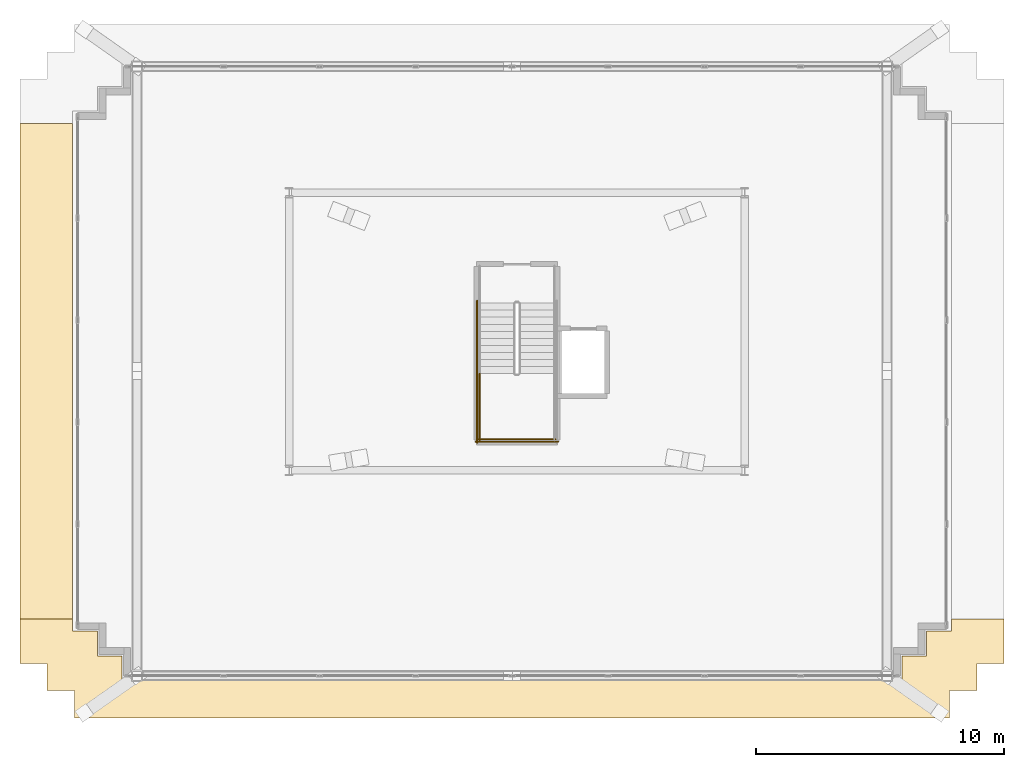
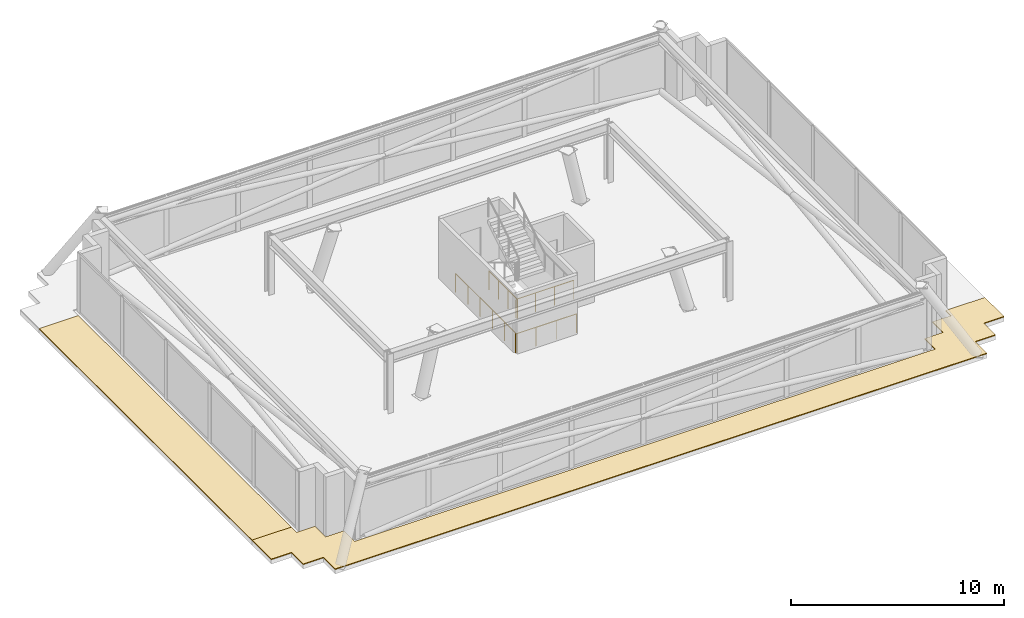
# One storey, part 16 of 18: 4 railings, 2 coverings.
"""IFC4 building model written with IfcOpenShell, lengths in metres."""

from ifc_helpers import new_model, si_unit, direction, frame, origin, origin_2d, place, context, subcontext, project, spatial, polyline, circle, outline, extrude, material, layer, layer_set, type_object, element, save


model = new_model("IFC4")

# Units and contexts
model_context = context("Model", 3, precision=1e-05, world=origin(), true_north=direction((0.0, 1.0)))
body_context = subcontext(model_context, "Body", "Model", "MODEL_VIEW")
ifc_project = project(units=[si_unit("LENGTHUNIT", "METRE"), si_unit("AREAUNIT", "SQUARE_METRE"), si_unit("VOLUMEUNIT", "CUBIC_METRE"), si_unit("PLANEANGLEUNIT", "RADIAN"), si_unit("MASSUNIT", "GRAM", prefix="KILO")], contexts=[model_context])

# Site, building, storey
site_placement = place(None, origin())
site = spatial("IfcSite", under=ifc_project, at=site_placement, CompositionType="ELEMENT")
building_placement = place(site_placement, origin())
building = spatial("IfcBuilding", under=site, at=building_placement, Name="Qobustan Lattice House", CompositionType="ELEMENT")
storey_placement = place(building_placement, frame((0.0, 0.0, 277.800048828125)))
storey = spatial("IfcBuildingStorey", under=building, at=storey_placement, Name="L78", CompositionType="ELEMENT", Elevation=277.800048828125)

# Coverings
ifc_material_1 = material(Name="Insulated stone-ballasted roof membrane", Category="masonry")
ifc_layer = layer(ifc_material_1, 0.050048828125)
ifc_layer_set = layer_set([ifc_layer], Name="Insulated stone-ballasted roof membrane")
covering_type = type_object("IfcCoveringType", Name="COV-ROOF-MEMB", PredefinedType="ROOFING", material=ifc_layer_set)
covering_1_placement = place(storey_placement, origin())
element("IfcCovering", 1, at=covering_1_placement, inside=storey, type_object=covering_type, Name="L78 crown step roof membrane 1", PredefinedType="ROOFING", context=body_context, shape_type="SweptSolid", body=[
    extrude(outline(polyline([(-17.87353515625, -14.50146484375), (-17.87353515625, -15.6015625), (17.473388671875, -15.6015625), (17.473388671875, -14.50146484375), (18.573486328125, -14.50146484375), (18.573486328125, -13.401611328125), (19.673583984375, -13.401611328125), (19.673583984375, -11.603515625), (17.54638671875, -11.603515625), (17.54638671875, -12.103515625), (16.54638671875, -12.103515625), (16.54638671875, -13.103515625), (15.54638671875, -13.103515625), (15.54638671875, -14.103515625), (-15.946533203125, -14.103515625), (-15.946533203125, -13.103515625), (-16.946533203125, -13.103515625), (-16.946533203125, -12.103515625), (-17.946533203125, -12.103515625), (-17.946533203125, -11.603515625), (-20.073486328125, -11.603515625), (-20.073486328125, -13.401611328125), (-18.973388671875, -13.401611328125), (-18.973388671875, -14.50146484375), (-17.87353515625, -14.50146484375)])), origin(), (0.0, 0.0, 1.0), 0.050048828125),
])
covering_2_placement = place(storey_placement, origin())
element("IfcCovering", 2, at=covering_2_placement, inside=storey, type_object=covering_type, Name="L78 crown step roof membrane 3", PredefinedType="ROOFING", context=body_context, shape_type="SweptSolid", body=[
    extrude(outline(polyline([(-20.073486328125, -11.603515625), (-17.946533203125, -11.603515625), (-17.946533203125, 8.403564453125), (-20.073486328125, 8.403564453125), (-20.073486328125, -11.603515625)])), origin(), (0.0, 0.0, 1.0), 0.050048828125),
])

# Railings
ifc_material_2 = material(Name="Painted galvanized steel guardrail", Category="steel")
railing_type = type_object("IfcRailingType", Name="RAL-STG-1150", PredefinedType="GUARDRAIL", material=ifc_material_2)
railing_1_placement = place(storey_placement, frame((-1.510009765625, -1.699951171875, 1.89990234375)))
element("IfcRailing", 3, at=railing_1_placement, inside=storey, type_object=railing_type, Name="L78 ST-C1 stair guard 3", PredefinedType="GUARDRAIL", context=body_context, shape_type="SweptSolid", body=[
    extrude(circle(Radius=0.02392578125, at=origin_2d()), frame((0.0, 0.0, 1.076171875), z_axis=(0.0, -1.0, 0.0), x_axis=(1.0, 0.0, 0.0)), (0.0, 0.0, 1.0), 2.699951171875),
    extrude(circle(Radius=0.02099609375, at=origin_2d()), origin(), (0.0, 0.0, 1.0), 1.052001953125),
    extrude(circle(Radius=0.02099609375, at=origin_2d()), frame((0.0, -0.89990234375, 0.0)), (0.0, 0.0, 1.0), 1.052001953125),
    extrude(circle(Radius=0.02099609375, at=origin_2d()), frame((0.0, -1.800048828125, 0.0)), (0.0, 0.0, 1.0), 1.052001953125),
    extrude(circle(Radius=0.02099609375, at=origin_2d()), frame((0.0, -2.699951171875, 0.0)), (0.0, 0.0, 1.0), 1.052001953125),
])
railing_2_placement = place(storey_placement, frame((-1.56005859375, -4.35009765625, 1.89990234375)))
element("IfcRailing", 4, at=railing_2_placement, inside=storey, type_object=railing_type, Name="L78 ST-C1 stair guard 5", PredefinedType="GUARDRAIL", context=body_context, shape_type="SweptSolid", body=[
    extrude(circle(Radius=0.02392578125, at=origin_2d()), frame((0.0, 0.0, 1.076171875), z_axis=(1.0, 0.0, 0.0), x_axis=(0.0, 1.0, 0.0)), (0.0, 0.0, 1.0), 3.1201171875),
    extrude(circle(Radius=0.02099609375, at=origin_2d()), origin(), (0.0, 0.0, 1.0), 1.052001953125),
    extrude(circle(Radius=0.02099609375, at=origin_2d()), frame((1.0400390625, 0.0, 0.0)), (0.0, 0.0, 1.0), 1.052001953125),
    extrude(circle(Radius=0.02099609375, at=origin_2d()), frame((2.080078125, 0.0, 0.0)), (0.0, 0.0, 1.0), 1.052001953125),
    extrude(circle(Radius=0.02099609375, at=origin_2d()), frame((3.1201171875, 0.0, 0.0)), (0.0, 0.0, 1.0), 1.052001953125),
])
railing_3_placement = place(storey_placement, frame((-1.610107421875, 1.25, 0.0)))
element("IfcRailing", 5, at=railing_3_placement, inside=storey, type_object=railing_type, Name="L78 ST-C1 stair guard 10", PredefinedType="GUARDRAIL", context=body_context, shape_type="SweptSolid", body=[
    extrude(circle(Radius=0.02392578125, at=origin_2d()), frame((0.0, 0.0, 1.076171875), z_axis=(0.0, -1.0, 0.0), x_axis=(1.0, 0.0, 0.0)), (0.0, 0.0, 1.0), 5.75),
    extrude(circle(Radius=0.02099609375, at=origin_2d()), origin(), (0.0, 0.0, 1.0), 1.052001953125),
    extrude(circle(Radius=0.02099609375, at=origin_2d()), frame((0.0, -1.14990234375, 0.0)), (0.0, 0.0, 1.0), 1.052001953125),
    extrude(circle(Radius=0.02099609375, at=origin_2d()), frame((0.0, -2.300048828125, 0.0)), (0.0, 0.0, 1.0), 1.052001953125),
    extrude(circle(Radius=0.02099609375, at=origin_2d()), frame((0.0, -3.449951171875, 0.0)), (0.0, 0.0, 1.0), 1.052001953125),
    extrude(circle(Radius=0.02099609375, at=origin_2d()), frame((0.0, -4.60009765625, 0.0)), (0.0, 0.0, 1.0), 1.052001953125),
    extrude(circle(Radius=0.02099609375, at=origin_2d()), frame((0.0, -5.75, 0.0)), (0.0, 0.0, 1.0), 1.052001953125),
])
railing_4_placement = place(storey_placement, frame((-1.659912109375, -4.449951171875, 0.0)))
element("IfcRailing", 6, at=railing_4_placement, inside=storey, type_object=railing_type, Name="L78 ST-C1 stair guard 12", PredefinedType="GUARDRAIL", context=body_context, shape_type="SweptSolid", body=[
    extrude(circle(Radius=0.02392578125, at=origin_2d()), frame((0.0, 0.0, 1.076171875), z_axis=(1.0, 0.0, 0.0), x_axis=(0.0, 1.0, 0.0)), (0.0, 0.0, 1.0), 3.31982421875),
    extrude(circle(Radius=0.02099609375, at=origin_2d()), origin(), (0.0, 0.0, 1.0), 1.052001953125),
    extrude(circle(Radius=0.02099609375, at=origin_2d()), frame((1.106689453125, 0.0, 0.0)), (0.0, 0.0, 1.0), 1.052001953125),
    extrude(circle(Radius=0.02099609375, at=origin_2d()), frame((2.213134765625, 0.0, 0.0)), (0.0, 0.0, 1.0), 1.052001953125),
    extrude(circle(Radius=0.02099609375, at=origin_2d()), frame((3.31982421875, 0.0, 0.0)), (0.0, 0.0, 1.0), 1.052001953125),
])

save(model, "model.ifc")
